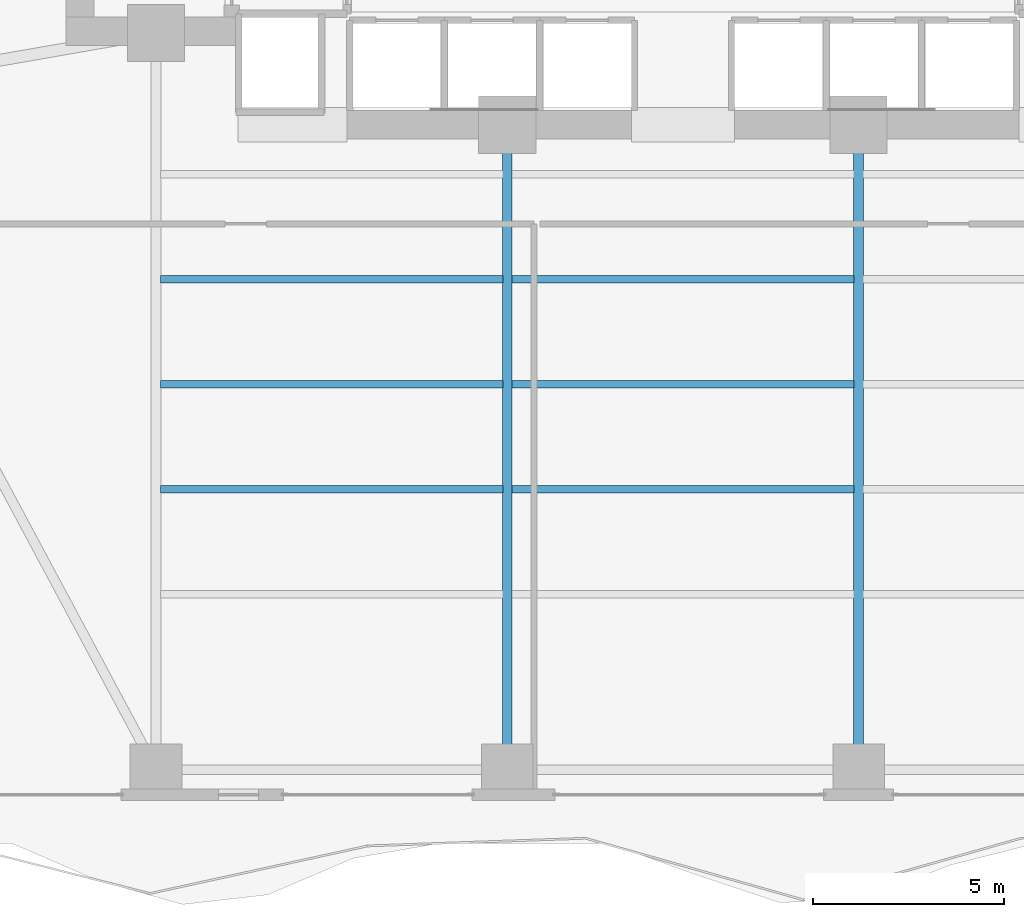
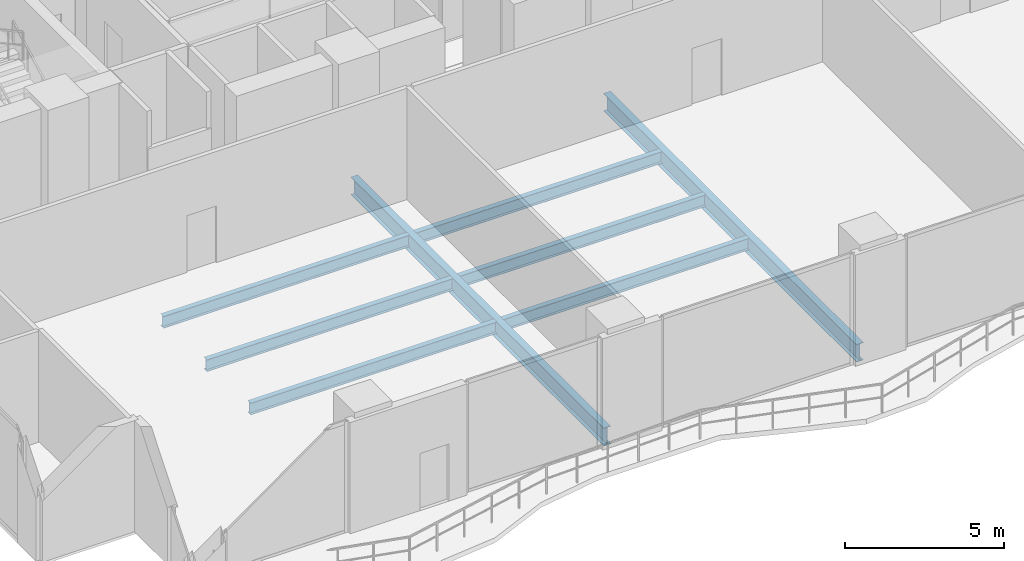
# One storey, part 7 of 33: 8 beams.
"""IFC4 building model written with IfcOpenShell, lengths in metres."""

from ifc_helpers import new_model, si_unit, direction, frame, origin, origin_2d, place, context, subcontext, project, spatial, i_section, extrude, material, material_profile, profile_set, type_object, element, save


model = new_model("IFC4")

# Units and contexts
model_context = context("Model", 3, precision=1e-05, world=origin(), true_north=direction((0.0, 1.0)))
body_context = subcontext(model_context, "Body", "Model", "MODEL_VIEW")
ifc_project = project(units=[si_unit("LENGTHUNIT", "METRE"), si_unit("AREAUNIT", "SQUARE_METRE"), si_unit("VOLUMEUNIT", "CUBIC_METRE"), si_unit("PLANEANGLEUNIT", "RADIAN"), si_unit("MASSUNIT", "GRAM", prefix="KILO")], contexts=[model_context])

# Site, building, storey
site_placement = place(None, origin())
site = spatial("IfcSite", under=ifc_project, at=site_placement, CompositionType="ELEMENT")
building_placement = place(site_placement, origin())
building = spatial("IfcBuilding", under=site, at=building_placement, Name="Zuhayl Quay Hotel", CompositionType="ELEMENT")
storey_placement = place(building_placement, frame((0.0, 0.0, 154.050048828125)))
storey = spatial("IfcBuildingStorey", under=building, at=storey_placement, Name="L39", CompositionType="ELEMENT", Elevation=154.050048828125)

# Beams
ifc_material = material(Name="Steel ASTM A992 Grade 50", Category="steel")
ifc_material_profile_1 = material_profile(ifc_material, i_section(OverallWidth=0.25390625, OverallDepth=0.68310546875, WebThickness=0.012451171875, FlangeThickness=0.018798828125, at=origin_2d()), Name="W27X94")
ifc_profile_set_1 = profile_set([ifc_material_profile_1], Name="Steel ASTM A992 Grade 50")
beam_type_1 = type_object("IfcBeamType", Name="BM_B2_W27X94", PredefinedType="BEAM", material=ifc_profile_set_1)
for number, where, z_axis, x_axis, name in (
    (1, (-4.60009765625, -14.25, -0.5615234375), (0.0, 1.0, 0.0), (-1.0, 0.0, 0.0), "L39 Floor Beam FG_S_L39_2"),
    (2, (4.60009765625, -14.25, -0.5615234375), (0.0, 1.0, 0.0), (-1.0, 0.0, 0.0), "L39 Floor Beam FG_S_L39_3"),
):
    element("IfcBeam", number, at=place(storey_placement, frame(where, z_axis=z_axis, x_axis=x_axis)), inside=storey, type_object=beam_type_1, Name=name, PredefinedType="BEAM", context=body_context, shape_type="SweptSolid", body=[
        extrude(i_section(OverallWidth=0.25390625, OverallDepth=0.68310546875, WebThickness=0.012451171875, FlangeThickness=0.018798828125, at=origin_2d()), origin(), (0.0, 0.0, 1.0), 15.949951171875),
    ])
ifc_material_profile_2 = material_profile(ifc_material, i_section(OverallWidth=0.18994140625, OverallDepth=0.45703125, WebThickness=0.009033203125, FlangeThickness=0.014404296875, at=origin_2d()), Name="W18X50")
ifc_profile_set_2 = profile_set([ifc_material_profile_2], Name="Steel ASTM A992 Grade 50")
beam_type_2 = type_object("IfcBeamType", Name="BM_J2_W18X50", PredefinedType="JOIST", material=ifc_profile_set_2)
for number, where, z_axis, x_axis, name in (
    (3, (-13.680908203125, -7.39990234375, -0.448486328125), (1.0, 0.0, 0.0), (0.0, 1.0, 0.0), "L39 Floor Beam FJ_L39_6_1"),
    (4, (-4.48095703125, -7.39990234375, -0.448486328125), (1.0, 0.0, 0.0), (0.0, 1.0, 0.0), "L39 Floor Beam FJ_L39_6_2"),
    (5, (-13.680908203125, -4.64990234375, -0.448486328125), (1.0, 0.0, 0.0), (0.0, 1.0, 0.0), "L39 Floor Beam FJ_L39_7_1"),
    (6, (-4.48095703125, -4.64990234375, -0.448486328125), (1.0, 0.0, 0.0), (0.0, 1.0, 0.0), "L39 Floor Beam FJ_L39_7_2"),
    (7, (-13.680908203125, -1.89990234375, -0.448486328125), (1.0, 0.0, 0.0), (0.0, 1.0, 0.0), "L39 Floor Beam FJ_L39_8_1"),
    (8, (-4.48095703125, -1.89990234375, -0.448486328125), (1.0, 0.0, 0.0), (0.0, 1.0, 0.0), "L39 Floor Beam FJ_L39_8_2"),
):
    element("IfcBeam", number, at=place(storey_placement, frame(where, z_axis=z_axis, x_axis=x_axis)), inside=storey, type_object=beam_type_2, Name=name, PredefinedType="JOIST", context=body_context, shape_type="SweptSolid", body=[
        extrude(i_section(OverallWidth=0.18994140625, OverallDepth=0.45703125, WebThickness=0.009033203125, FlangeThickness=0.014404296875, at=origin_2d()), origin(), (0.0, 0.0, 1.0), 8.9619140625),
    ])

save(model, "model.ifc")
